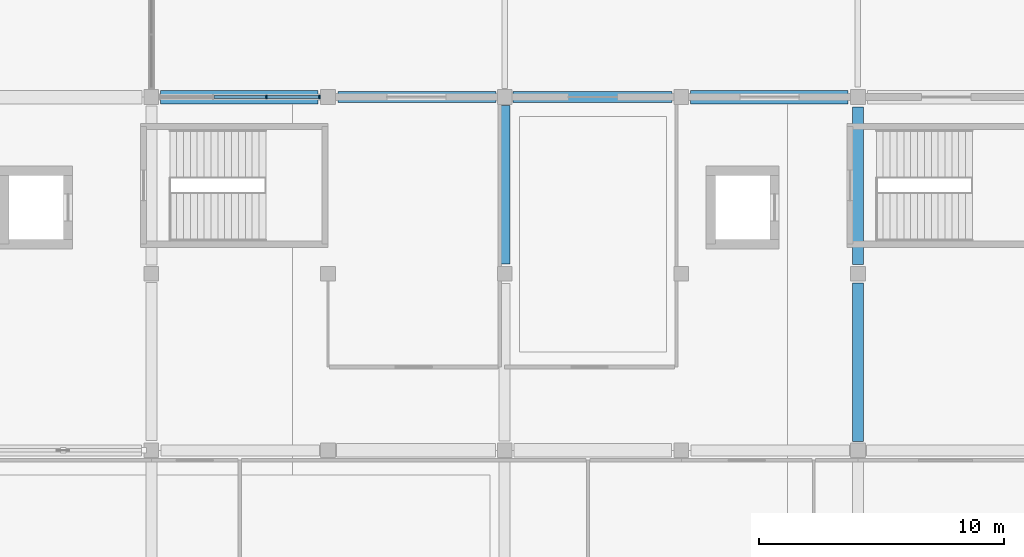
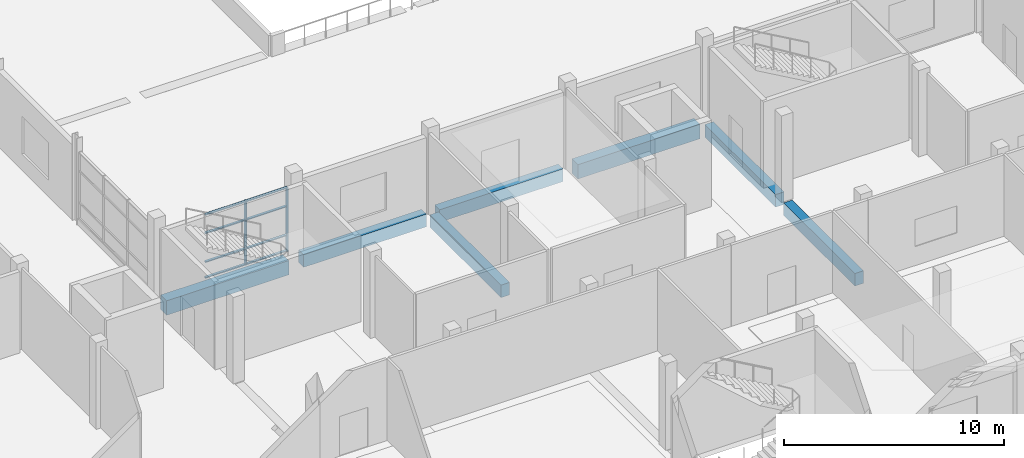
# One storey, part 22 of 82: 10 members, 7 beams, 1 element without a shape of its own.
"""IFC4 building model written with IfcOpenShell, lengths in metres."""

from ifc_helpers import new_model, si_unit, direction, frame, origin, origin_2d, place, context, subcontext, project, spatial, rectangle, extrude, material, material_profile, profile_set, type_object, element, aggregate, save


model = new_model("IFC4")

# Units and contexts
model_context = context("Model", 3, precision=1e-05, world=origin(), true_north=direction((0.0, 1.0)))
body_context = subcontext(model_context, "Body", "Model", "MODEL_VIEW")
ifc_project = project(units=[si_unit("LENGTHUNIT", "METRE"), si_unit("AREAUNIT", "SQUARE_METRE"), si_unit("VOLUMEUNIT", "CUBIC_METRE"), si_unit("PLANEANGLEUNIT", "RADIAN"), si_unit("MASSUNIT", "GRAM", prefix="KILO")], contexts=[model_context])

# Site, building, storey
site_placement = place(None, origin())
site = spatial("IfcSite", under=ifc_project, at=site_placement, CompositionType="ELEMENT")
building_placement = place(site_placement, origin())
building = spatial("IfcBuilding", under=site, at=building_placement, Name="Sardonyx Promenade Sports Hall", CompositionType="ELEMENT")
storey_placement = place(building_placement, frame((0.0, 0.0, 11.199951171875)))
storey = spatial("IfcBuildingStorey", under=building, at=storey_placement, Name="L02", CompositionType="ELEMENT", Elevation=11.199951171875)

# Beams
ifc_material_1 = material(Name="Concrete C40/50", Category="concrete")
ifc_material_profile_1 = material_profile(ifc_material_1, rectangle(XDim=0.550048828125, YDim=0.800048828125, at=origin_2d()))
ifc_profile_set_1 = profile_set([ifc_material_profile_1], Name="Concrete C40/50")
beam_type_1 = type_object("IfcBeamType", Name="Bm_Girder_RC800", PredefinedType="BEAM", material=ifc_profile_set_1)
for number, where, z_axis, x_axis, name in (
    (1, (29.175048828125, 28.800048828125, -0.39990234375), (1.0, 0.0, 0.0), (0.0, 1.0, 0.0), "Beam BG04 L02 #497"),
    (2, (50.77490234375, 28.800048828125, -0.39990234375), (1.0, 0.0, 0.0), (0.0, 1.0, 0.0), "Beam BG04 L02 #500"),
):
    element("IfcBeam", number, at=place(storey_placement, frame(where, z_axis=z_axis, x_axis=x_axis)), inside=storey, type_object=beam_type_1, Name=name, PredefinedType="BEAM", context=body_context, shape_type="SweptSolid", body=[
        extrude(rectangle(XDim=0.550048828125, YDim=0.800048828125, at=origin_2d()), origin(), (0.0, 0.0, 1.0), 6.425048828125),
    ])
ifc_material_2 = material(Name="Concrete C40/50", Category="concrete")
ifc_material_profile_2 = material_profile(ifc_material_2, rectangle(XDim=0.449951171875, YDim=0.699951171875, at=origin_2d()))
ifc_profile_set_2 = profile_set([ifc_material_profile_2], Name="Concrete C40/50")
beam_type_2 = type_object("IfcBeamType", Name="Bm_Primary_RC700", PredefinedType="BEAM", material=ifc_profile_set_2)
beam_1_placement = place(storey_placement, frame((36.39990234375, 28.800048828125, -0.349853515625), z_axis=(1.0, 0.0, 0.0), x_axis=(0.0, 1.0, 0.0)))
element("IfcBeam", 3, at=beam_1_placement, inside=storey, type_object=beam_type_2, Name="Beam BG01 L02 #498", PredefinedType="BEAM", context=body_context, shape_type="SweptSolid", body=[
    extrude(rectangle(XDim=0.449951171875, YDim=0.699951171875, at=origin_2d()), origin(), (0.0, 0.0, 1.0), 6.4501953125),
])
beam_2_placement = place(storey_placement, frame((43.550048828125, 28.800048828125, -0.349853515625), z_axis=(1.0, 0.0, 0.0), x_axis=(0.0, 1.0, 0.0)))
element("IfcBeam", 4, at=beam_2_placement, inside=storey, type_object=beam_type_2, Name="Beam BG01 L02 #499", PredefinedType="BEAM", context=body_context, shape_type="SweptSolid", body=[
    extrude(rectangle(XDim=0.449951171875, YDim=0.699951171875, at=origin_2d()), origin(), (0.0, 0.0, 1.0), 6.474853515625),
])
beam_3_placement = place(storey_placement, frame((43.199951171875, 22.0, -0.349853515625), z_axis=(0.0, 1.0, 0.0), x_axis=(-1.0, 0.0, 0.0)))
element("IfcBeam", 5, at=beam_3_placement, inside=storey, type_object=beam_type_2, Name="Beam BG01 L02 #595", PredefinedType="BEAM", context=body_context, shape_type="SweptSolid", body=[
    extrude(rectangle(XDim=0.449951171875, YDim=0.699951171875, at=origin_2d()), origin(), (0.0, 0.0, 1.0), 6.449951171875),
])
beam_4_placement = place(storey_placement, frame((57.60009765625, 14.75, -0.349853515625), z_axis=(0.0, 1.0, 0.0), x_axis=(-1.0, 0.0, 0.0)))
element("IfcBeam", 6, at=beam_4_placement, inside=storey, type_object=beam_type_2, Name="Beam BG01 L02 #605", PredefinedType="BEAM", context=body_context, shape_type="SweptSolid", body=[
    extrude(rectangle(XDim=0.449951171875, YDim=0.699951171875, at=origin_2d()), origin(), (0.0, 0.0, 1.0), 6.47509765625),
])
beam_5_placement = place(storey_placement, frame((57.60009765625, 21.97509765625, -0.349853515625), z_axis=(0.0, 1.0, 0.0), x_axis=(-1.0, 0.0, 0.0)))
element("IfcBeam", 7, at=beam_5_placement, inside=storey, type_object=beam_type_2, Name="Beam BG01 L02 #606", PredefinedType="BEAM", context=body_context, shape_type="SweptSolid", body=[
    extrude(rectangle(XDim=0.449951171875, YDim=0.699951171875, at=origin_2d()), origin(), (0.0, 0.0, 1.0), 6.4248046875),
])

# Curtain wall, members
ifc_material_3 = material(Name="Aluminium 6063-T6", Category="aluminium")
curtain_wall_type = type_object("IfcCurtainWallType", Name="CW_EastWing_L02", PredefinedType="USERDEFINED", material=ifc_material_3)
curtain_wall_placement = place(storey_placement, origin())
curtain_wall = element("IfcCurtainWall", 8, at=curtain_wall_placement, inside=storey, type_object=curtain_wall_type, Name="Curtain wall CW09 cw:L02:158", ObjectType="CURTAIN WALL", PredefinedType="USERDEFINED")
ifc_material_4 = material(Name="Aluminium 6063-T6", Category="aluminium")
ifc_material_profile_3 = material_profile(ifc_material_4, rectangle(XDim=0.06005859375, YDim=0.14990234375, at=origin_2d()))
ifc_profile_set_3 = profile_set([ifc_material_profile_3], Name="Aluminium 6063-T6")
member_type_1 = type_object("IfcMemberType", Name="CW_Mull_150", PredefinedType="MULLION", material=ifc_profile_set_3)
member_1_placement = place(storey_placement, frame((33.4833984375, 28.800048828125, 0.35009765625), z_axis=(0.0, 0.0, 1.0), x_axis=(1.0, 0.0, 0.0)))
member_1 = element("IfcMember", 9, at=member_1_placement, type_object=member_type_1, Name="Mullion CM01 cw:L02:158 #3", PredefinedType="MULLION", context=body_context, shape_type="SweptSolid", body=[
    extrude(rectangle(XDim=0.06005859375, YDim=0.14990234375, at=origin_2d()), origin(), (0.0, 0.0, 1.0), 3.550048828125),
])
member_2_placement = place(storey_placement, frame((35.64990234375, 28.800048828125, 0.35009765625), z_axis=(0.0, 0.0, 1.0), x_axis=(1.0, 0.0, 0.0)))
member_2 = element("IfcMember", 10, at=member_2_placement, type_object=member_type_1, Name="Mullion CM01 cw:L02:158 #4", PredefinedType="MULLION", context=body_context, shape_type="SweptSolid", body=[
    extrude(rectangle(XDim=0.06005859375, YDim=0.14990234375, at=origin_2d()), origin(), (0.0, 0.0, 1.0), 3.550048828125),
])
ifc_material_5 = material(Name="Aluminium 6063-T6", Category="aluminium")
ifc_material_profile_4 = material_profile(ifc_material_5, rectangle(XDim=0.06005859375, YDim=0.1201171875, at=origin_2d()))
ifc_profile_set_4 = profile_set([ifc_material_profile_4], Name="Aluminium 6063-T6")
member_type_2 = type_object("IfcMemberType", Name="CW_Tran_120", PredefinedType="USERDEFINED", material=ifc_profile_set_4)
member_3_placement = place(storey_placement, frame((31.3466796875, 28.800048828125, 0.380126953125), z_axis=(1.0, 0.0, 0.0), x_axis=(0.0, 0.0, 1.0)))
member_3 = element("IfcMember", 11, at=member_3_placement, type_object=member_type_2, Name="Transom CT01 cw:L02:158 #5", ObjectType="TRANSOM", PredefinedType="USERDEFINED", context=body_context, shape_type="SweptSolid", body=[
    extrude(rectangle(XDim=0.06005859375, YDim=0.1201171875, at=origin_2d()), origin(), (0.0, 0.0, 1.0), 2.106689453125),
])
member_4_placement = place(storey_placement, frame((31.3466796875, 28.800048828125, 1.25), z_axis=(1.0, 0.0, 0.0), x_axis=(0.0, 0.0, 1.0)))
member_4 = element("IfcMember", 12, at=member_4_placement, type_object=member_type_2, Name="Transom CT01 cw:L02:158 #6", ObjectType="TRANSOM", PredefinedType="USERDEFINED", context=body_context, shape_type="SweptSolid", body=[
    extrude(rectangle(XDim=0.06005859375, YDim=0.1201171875, at=origin_2d()), origin(), (0.0, 0.0, 1.0), 2.106689453125),
])
member_5_placement = place(storey_placement, frame((31.3466796875, 28.800048828125, 2.85009765625), z_axis=(1.0, 0.0, 0.0), x_axis=(0.0, 0.0, 1.0)))
member_5 = element("IfcMember", 13, at=member_5_placement, type_object=member_type_2, Name="Transom CT01 cw:L02:158 #7", ObjectType="TRANSOM", PredefinedType="USERDEFINED", context=body_context, shape_type="SweptSolid", body=[
    extrude(rectangle(XDim=0.06005859375, YDim=0.1201171875, at=origin_2d()), origin(), (0.0, 0.0, 1.0), 2.106689453125),
])
member_6_placement = place(storey_placement, frame((31.3466796875, 28.800048828125, 3.8701171875), z_axis=(1.0, 0.0, 0.0), x_axis=(0.0, 0.0, 1.0)))
member_6 = element("IfcMember", 14, at=member_6_placement, type_object=member_type_2, Name="Transom CT01 cw:L02:158 #8", ObjectType="TRANSOM", PredefinedType="USERDEFINED", context=body_context, shape_type="SweptSolid", body=[
    extrude(rectangle(XDim=0.06005859375, YDim=0.1201171875, at=origin_2d()), origin(), (0.0, 0.0, 1.0), 2.106689453125),
])
member_7_placement = place(storey_placement, frame((33.513427734375, 28.800048828125, 0.380126953125), z_axis=(1.0, 0.0, 0.0), x_axis=(0.0, 0.0, 1.0)))
member_7 = element("IfcMember", 15, at=member_7_placement, type_object=member_type_2, Name="Transom CT01 cw:L02:158 #9", ObjectType="TRANSOM", PredefinedType="USERDEFINED", context=body_context, shape_type="SweptSolid", body=[
    extrude(rectangle(XDim=0.06005859375, YDim=0.1201171875, at=origin_2d()), origin(), (0.0, 0.0, 1.0), 2.106689453125),
])
member_8_placement = place(storey_placement, frame((33.513427734375, 28.800048828125, 1.25), z_axis=(1.0, 0.0, 0.0), x_axis=(0.0, 0.0, 1.0)))
member_8 = element("IfcMember", 16, at=member_8_placement, type_object=member_type_2, Name="Transom CT01 cw:L02:158 #10", ObjectType="TRANSOM", PredefinedType="USERDEFINED", context=body_context, shape_type="SweptSolid", body=[
    extrude(rectangle(XDim=0.06005859375, YDim=0.1201171875, at=origin_2d()), origin(), (0.0, 0.0, 1.0), 2.106689453125),
])
member_9_placement = place(storey_placement, frame((33.513427734375, 28.800048828125, 2.85009765625), z_axis=(1.0, 0.0, 0.0), x_axis=(0.0, 0.0, 1.0)))
member_9 = element("IfcMember", 17, at=member_9_placement, type_object=member_type_2, Name="Transom CT01 cw:L02:158 #11", ObjectType="TRANSOM", PredefinedType="USERDEFINED", context=body_context, shape_type="SweptSolid", body=[
    extrude(rectangle(XDim=0.06005859375, YDim=0.1201171875, at=origin_2d()), origin(), (0.0, 0.0, 1.0), 2.106689453125),
])
member_10_placement = place(storey_placement, frame((33.513427734375, 28.800048828125, 3.8701171875), z_axis=(1.0, 0.0, 0.0), x_axis=(0.0, 0.0, 1.0)))
member_10 = element("IfcMember", 18, at=member_10_placement, type_object=member_type_2, Name="Transom CT01 cw:L02:158 #12", ObjectType="TRANSOM", PredefinedType="USERDEFINED", context=body_context, shape_type="SweptSolid", body=[
    extrude(rectangle(XDim=0.06005859375, YDim=0.1201171875, at=origin_2d()), origin(), (0.0, 0.0, 1.0), 2.106689453125),
])
aggregate(curtain_wall, [member_1, member_2, member_3, member_4, member_5, member_6, member_7, member_8, member_9, member_10])

save(model, "model.ifc")
